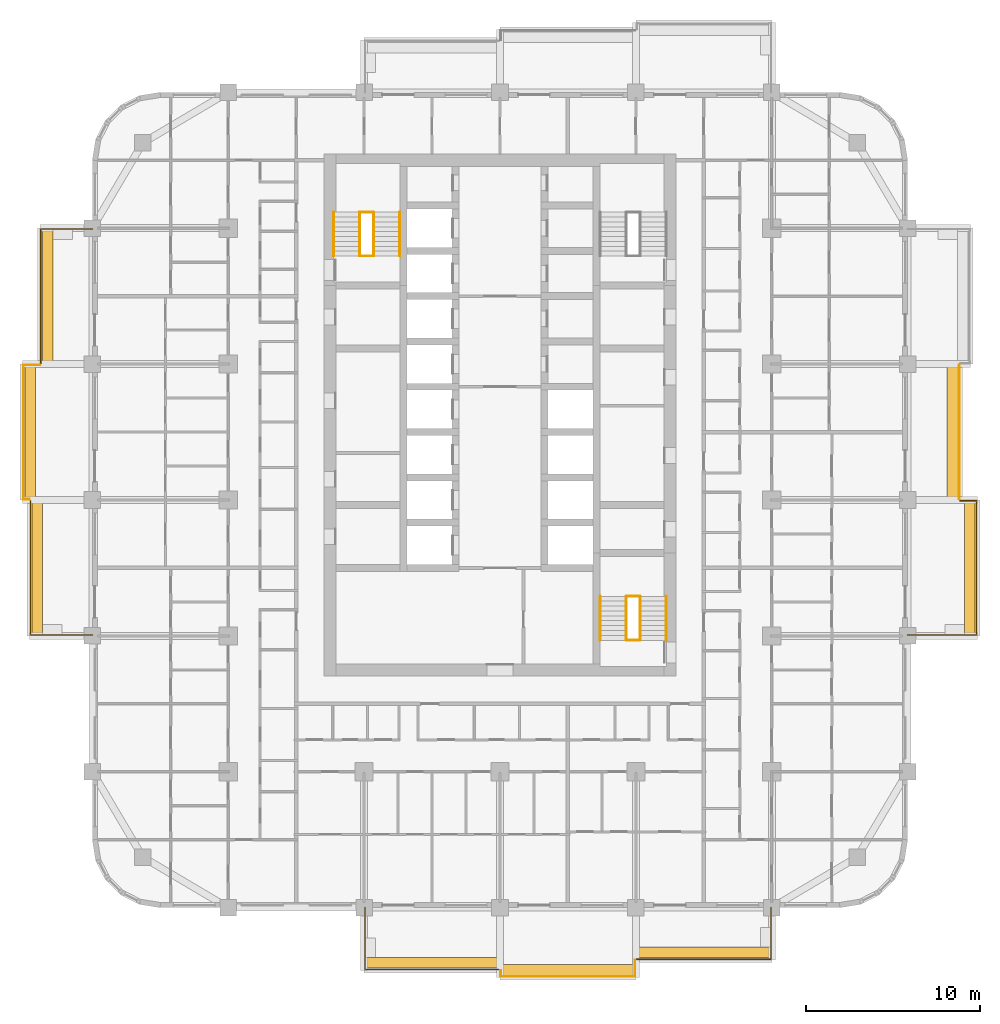
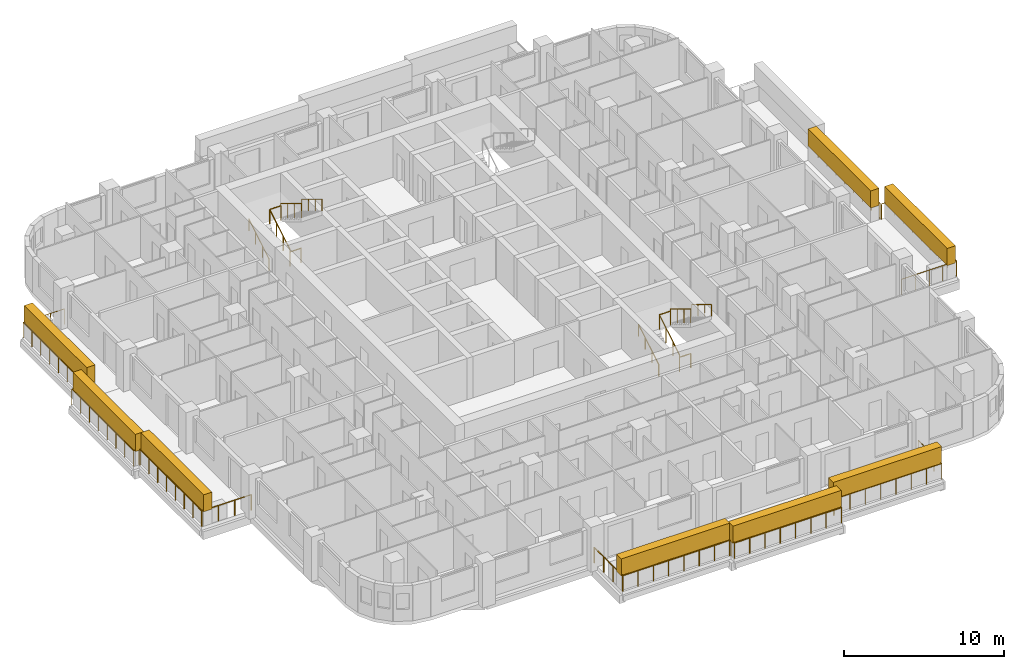
# One storey, part 16 of 17: 20 railings, 8 coverings, 2 elements without a shape of their own.
"""IFC4 building model written with IfcOpenShell, lengths in metres."""

from ifc_helpers import new_model, si_unit, direction, frame, origin, origin_2d, place, context, subcontext, project, spatial, rectangle, circle, extrude, material, layer, layer_set, type_object, element, aggregate, save


model = new_model("IFC4")

# Units and contexts
model_context = context("Model", 3, precision=1e-05, world=origin(), true_north=direction((0.0, 1.0)))
body_context = subcontext(model_context, "Body", "Model", "MODEL_VIEW")
ifc_project = project(units=[si_unit("LENGTHUNIT", "METRE"), si_unit("AREAUNIT", "SQUARE_METRE"), si_unit("VOLUMEUNIT", "CUBIC_METRE"), si_unit("PLANEANGLEUNIT", "RADIAN"), si_unit("MASSUNIT", "GRAM", prefix="KILO")], contexts=[model_context])

# Site, building, storey
site_placement = place(None, origin())
site = spatial("IfcSite", under=ifc_project, at=site_placement, CompositionType="ELEMENT")
building_placement = place(site_placement, origin())
building = spatial("IfcBuilding", under=site, at=building_placement, Name="Ludao Terraces", CompositionType="ELEMENT")
storey_placement = place(building_placement, frame((0.0, 0.0, 85.199951171875)))
storey = spatial("IfcBuildingStorey", under=building, at=storey_placement, Name="L23", CompositionType="ELEMENT", Elevation=85.199951171875)

# Railings
ifc_material_1 = material(Name="Stainless steel 304", Category="steel")
railing_type_1 = type_object("IfcRailingType", Name="ENV Balcony glass guard 1200", PredefinedType="GUARDRAIL", material=ifc_material_1)
railing_1_placement = place(storey_placement, frame((77.25, 41.60009765625, 0.0)))
element("IfcRailing", 1, at=railing_1_placement, inside=storey, type_object=railing_type_1, Name="Balcony guard L23 S2", PredefinedType="GUARDRAIL", context=body_context, shape_type="SweptSolid", body=[
    extrude(circle(Radius=0.02392578125, at=origin_2d()), frame((0.0, 0.0, 1.17578125), z_axis=(0.0, -1.0, 0.0), x_axis=(1.0, 0.0, 0.0)), (0.0, 0.0, 1.0), 3.550048828125),
    extrude(circle(Radius=0.02392578125, at=origin_2d()), frame((0.0, -3.550048828125, 1.17578125), z_axis=(1.0, 0.0, 0.0), x_axis=(0.0, 1.0, 0.0)), (0.0, 0.0, 1.0), 7.699951171875),
    extrude(circle(Radius=0.02099609375, at=origin_2d()), origin(), (0.0, 0.0, 1.0), 1.15185546875),
    extrude(circle(Radius=0.02099609375, at=origin_2d()), frame((0.0, -1.183349609375, 0.0)), (0.0, 0.0, 1.0), 1.15185546875),
    extrude(circle(Radius=0.02099609375, at=origin_2d()), frame((0.0, -2.36669921875, 0.0)), (0.0, 0.0, 1.0), 1.15185546875),
    extrude(circle(Radius=0.02099609375, at=origin_2d()), frame((0.0, -3.550048828125, 0.0)), (0.0, 0.0, 1.0), 1.15185546875),
    extrude(circle(Radius=0.02099609375, at=origin_2d()), frame((1.10009765625, -3.550048828125, 0.0)), (0.0, 0.0, 1.0), 1.15185546875),
    extrude(circle(Radius=0.02099609375, at=origin_2d()), frame((2.199951171875, -3.550048828125, 0.0)), (0.0, 0.0, 1.0), 1.15185546875),
    extrude(circle(Radius=0.02099609375, at=origin_2d()), frame((3.300048828125, -3.550048828125, 0.0)), (0.0, 0.0, 1.0), 1.15185546875),
    extrude(circle(Radius=0.02099609375, at=origin_2d()), frame((4.39990234375, -3.550048828125, 0.0)), (0.0, 0.0, 1.0), 1.15185546875),
    extrude(circle(Radius=0.02099609375, at=origin_2d()), frame((5.5, -3.550048828125, 0.0)), (0.0, 0.0, 1.0), 1.15185546875),
    extrude(circle(Radius=0.02099609375, at=origin_2d()), frame((6.599853515625, -3.550048828125, 0.0)), (0.0, 0.0, 1.0), 1.15185546875),
    extrude(circle(Radius=0.02099609375, at=origin_2d()), frame((7.699951171875, -3.550048828125, 0.0)), (0.0, 0.0, 1.0), 1.15185546875),
])
railing_2_placement = place(storey_placement, frame((85.050048828125, 38.0, 0.0)))
element("IfcRailing", 2, at=railing_2_placement, inside=storey, type_object=railing_type_1, Name="Balcony guard L23 S3", PredefinedType="GUARDRAIL", context=body_context, shape_type="SweptSolid", body=[
    extrude(circle(Radius=0.02392578125, at=origin_2d()), frame((0.0, 0.0, 1.17578125), z_axis=(0.0, -1.0, 0.0), x_axis=(1.0, 0.0, 0.0)), (0.0, 0.0, 1.0), 0.35009765625),
    extrude(circle(Radius=0.02392578125, at=origin_2d()), frame((0.0, -0.35009765625, 1.17578125), z_axis=(1.0, 0.0, 0.0), x_axis=(0.0, 1.0, 0.0)), (0.0, 0.0, 1.0), 7.699951171875),
    extrude(circle(Radius=0.02392578125, at=origin_2d()), frame((7.699951171875, -0.35009765625, 1.17578125), z_axis=(0.0, 1.0, 0.0), x_axis=(-1.0, 0.0, 0.0)), (0.0, 0.0, 1.0), 0.9501953125),
    extrude(circle(Radius=0.02099609375, at=origin_2d()), origin(), (0.0, 0.0, 1.0), 1.15185546875),
    extrude(circle(Radius=0.02099609375, at=origin_2d()), frame((0.0, -0.35009765625, 0.0)), (0.0, 0.0, 1.0), 1.15185546875),
    extrude(circle(Radius=0.02099609375, at=origin_2d()), frame((1.10009765625, -0.35009765625, 0.0)), (0.0, 0.0, 1.0), 1.15185546875),
    extrude(circle(Radius=0.02099609375, at=origin_2d()), frame((2.199951171875, -0.35009765625, 0.0)), (0.0, 0.0, 1.0), 1.15185546875),
    extrude(circle(Radius=0.02099609375, at=origin_2d()), frame((3.300048828125, -0.35009765625, 0.0)), (0.0, 0.0, 1.0), 1.15185546875),
    extrude(circle(Radius=0.02099609375, at=origin_2d()), frame((4.39990234375, -0.35009765625, 0.0)), (0.0, 0.0, 1.0), 1.15185546875),
    extrude(circle(Radius=0.02099609375, at=origin_2d()), frame((5.5, -0.35009765625, 0.0)), (0.0, 0.0, 1.0), 1.15185546875),
    extrude(circle(Radius=0.02099609375, at=origin_2d()), frame((6.599853515625, -0.35009765625, 0.0)), (0.0, 0.0, 1.0), 1.15185546875),
    extrude(circle(Radius=0.02099609375, at=origin_2d()), frame((7.699951171875, -0.35009765625, 0.0)), (0.0, 0.0, 1.0), 1.15185546875),
    extrude(circle(Radius=0.02099609375, at=origin_2d()), frame((7.699951171875, 0.60009765625, 0.0)), (0.0, 0.0, 1.0), 1.15185546875),
])
railing_3_placement = place(storey_placement, frame((92.85009765625, 38.64990234375, 0.0)))
element("IfcRailing", 3, at=railing_3_placement, inside=storey, type_object=railing_type_1, Name="Balcony guard L23 S4", PredefinedType="GUARDRAIL", context=body_context, shape_type="SweptSolid", body=[
    extrude(circle(Radius=0.02392578125, at=origin_2d()), frame((0.0, 0.0, 1.17578125), z_axis=(1.0, 0.0, 0.0), x_axis=(0.0, 1.0, 0.0)), (0.0, 0.0, 1.0), 7.699951171875),
    extrude(circle(Radius=0.02392578125, at=origin_2d()), frame((7.699951171875, 0.0, 1.17578125), z_axis=(0.0, 1.0, 0.0), x_axis=(-1.0, 0.0, 0.0)), (0.0, 0.0, 1.0), 2.9501953125),
    extrude(circle(Radius=0.02099609375, at=origin_2d()), origin(), (0.0, 0.0, 1.0), 1.15185546875),
    extrude(circle(Radius=0.02099609375, at=origin_2d()), frame((1.10009765625, 0.0, 0.0)), (0.0, 0.0, 1.0), 1.15185546875),
    extrude(circle(Radius=0.02099609375, at=origin_2d()), frame((2.199951171875, 0.0, 0.0)), (0.0, 0.0, 1.0), 1.15185546875),
    extrude(circle(Radius=0.02099609375, at=origin_2d()), frame((3.300048828125, 0.0, 0.0)), (0.0, 0.0, 1.0), 1.15185546875),
    extrude(circle(Radius=0.02099609375, at=origin_2d()), frame((4.39990234375, 0.0, 0.0)), (0.0, 0.0, 1.0), 1.15185546875),
    extrude(circle(Radius=0.02099609375, at=origin_2d()), frame((5.5, 0.0, 0.0)), (0.0, 0.0, 1.0), 1.15185546875),
    extrude(circle(Radius=0.02099609375, at=origin_2d()), frame((6.599853515625, 0.0, 0.0)), (0.0, 0.0, 1.0), 1.15185546875),
    extrude(circle(Radius=0.02099609375, at=origin_2d()), frame((7.699951171875, 0.0, 0.0)), (0.0, 0.0, 1.0), 1.15185546875),
    extrude(circle(Radius=0.02099609375, at=origin_2d()), frame((7.699951171875, 0.9833984375, 0.0)), (0.0, 0.0, 1.0), 1.15185546875),
    extrude(circle(Radius=0.02099609375, at=origin_2d()), frame((7.699951171875, 1.966796875, 0.0)), (0.0, 0.0, 1.0), 1.15185546875),
    extrude(circle(Radius=0.02099609375, at=origin_2d()), frame((7.699951171875, 2.9501953125, 0.0)), (0.0, 0.0, 1.0), 1.15185546875),
])
railing_4_placement = place(storey_placement, frame((108.39990234375, 57.25, 0.0)))
element("IfcRailing", 4, at=railing_4_placement, inside=storey, type_object=railing_type_1, Name="Balcony guard L23 E2", PredefinedType="GUARDRAIL", context=body_context, shape_type="SweptSolid", body=[
    extrude(circle(Radius=0.02392578125, at=origin_2d()), frame((0.0, 0.0, 1.17578125), z_axis=(1.0, 0.0, 0.0), x_axis=(0.0, 1.0, 0.0)), (0.0, 0.0, 1.0), 3.9501953125),
    extrude(circle(Radius=0.02392578125, at=origin_2d()), frame((3.9501953125, 0.0, 1.17578125), z_axis=(0.0, 1.0, 0.0), x_axis=(-1.0, 0.0, 0.0)), (0.0, 0.0, 1.0), 7.699951171875),
    extrude(circle(Radius=0.02392578125, at=origin_2d()), frame((3.9501953125, 7.699951171875, 1.17578125), z_axis=(-1.0, 0.0, 0.0), x_axis=(0.0, -1.0, 0.0)), (0.0, 0.0, 1.0), 0.9501953125),
    extrude(circle(Radius=0.02099609375, at=origin_2d()), origin(), (0.0, 0.0, 1.0), 1.15185546875),
    extrude(circle(Radius=0.02099609375, at=origin_2d()), frame((0.987548828125, 0.0, 0.0)), (0.0, 0.0, 1.0), 1.15185546875),
    extrude(circle(Radius=0.02099609375, at=origin_2d()), frame((1.97509765625, 0.0, 0.0)), (0.0, 0.0, 1.0), 1.15185546875),
    extrude(circle(Radius=0.02099609375, at=origin_2d()), frame((2.962646484375, 0.0, 0.0)), (0.0, 0.0, 1.0), 1.15185546875),
    extrude(circle(Radius=0.02099609375, at=origin_2d()), frame((3.9501953125, 0.0, 0.0)), (0.0, 0.0, 1.0), 1.15185546875),
    extrude(circle(Radius=0.02099609375, at=origin_2d()), frame((3.9501953125, 1.10009765625, 0.0)), (0.0, 0.0, 1.0), 1.15185546875),
    extrude(circle(Radius=0.02099609375, at=origin_2d()), frame((3.9501953125, 2.199951171875, 0.0)), (0.0, 0.0, 1.0), 1.15185546875),
    extrude(circle(Radius=0.02099609375, at=origin_2d()), frame((3.9501953125, 3.300048828125, 0.0)), (0.0, 0.0, 1.0), 1.15185546875),
    extrude(circle(Radius=0.02099609375, at=origin_2d()), frame((3.9501953125, 4.39990234375, 0.0)), (0.0, 0.0, 1.0), 1.15185546875),
    extrude(circle(Radius=0.02099609375, at=origin_2d()), frame((3.9501953125, 5.5, 0.0)), (0.0, 0.0, 1.0), 1.15185546875),
    extrude(circle(Radius=0.02099609375, at=origin_2d()), frame((3.9501953125, 6.599853515625, 0.0)), (0.0, 0.0, 1.0), 1.15185546875),
    extrude(circle(Radius=0.02099609375, at=origin_2d()), frame((3.9501953125, 7.699951171875, 0.0)), (0.0, 0.0, 1.0), 1.15185546875),
    extrude(circle(Radius=0.02099609375, at=origin_2d()), frame((3.0, 7.699951171875, 0.0)), (0.0, 0.0, 1.0), 1.15185546875),
])
railing_5_placement = place(storey_placement, frame((111.35009765625, 65.050048828125, 0.0)))
element("IfcRailing", 5, at=railing_5_placement, inside=storey, type_object=railing_type_1, Name="Balcony guard L23 E3", PredefinedType="GUARDRAIL", context=body_context, shape_type="SweptSolid", body=[
    extrude(circle(Radius=0.02392578125, at=origin_2d()), frame((0.0, 0.0, 1.17578125), z_axis=(0.0, 1.0, 0.0), x_axis=(-1.0, 0.0, 0.0)), (0.0, 0.0, 1.0), 7.699951171875),
    extrude(circle(Radius=0.02099609375, at=origin_2d()), origin(), (0.0, 0.0, 1.0), 1.15185546875),
    extrude(circle(Radius=0.02099609375, at=origin_2d()), frame((0.0, 1.10009765625, 0.0)), (0.0, 0.0, 1.0), 1.15185546875),
    extrude(circle(Radius=0.02099609375, at=origin_2d()), frame((0.0, 2.199951171875, 0.0)), (0.0, 0.0, 1.0), 1.15185546875),
    extrude(circle(Radius=0.02099609375, at=origin_2d()), frame((0.0, 3.300048828125, 0.0)), (0.0, 0.0, 1.0), 1.15185546875),
    extrude(circle(Radius=0.02099609375, at=origin_2d()), frame((0.0, 4.39990234375, 0.0)), (0.0, 0.0, 1.0), 1.15185546875),
    extrude(circle(Radius=0.02099609375, at=origin_2d()), frame((0.0, 5.5, 0.0)), (0.0, 0.0, 1.0), 1.15185546875),
    extrude(circle(Radius=0.02099609375, at=origin_2d()), frame((0.0, 6.599853515625, 0.0)), (0.0, 0.0, 1.0), 1.15185546875),
    extrude(circle(Radius=0.02099609375, at=origin_2d()), frame((0.0, 7.699951171875, 0.0)), (0.0, 0.0, 1.0), 1.15185546875),
])
railing_6_placement = place(storey_placement, frame((61.60009765625, 57.25, 0.0)))
element("IfcRailing", 6, at=railing_6_placement, inside=storey, type_object=railing_type_1, Name="Balcony guard L23 W2", PredefinedType="GUARDRAIL", context=body_context, shape_type="SweptSolid", body=[
    extrude(circle(Radius=0.02392578125, at=origin_2d()), frame((0.0, 0.0, 1.17578125), z_axis=(-1.0, 0.0, 0.0), x_axis=(0.0, -1.0, 0.0)), (0.0, 0.0, 1.0), 3.550048828125),
    extrude(circle(Radius=0.02392578125, at=origin_2d()), frame((-3.550048828125, 0.0, 1.17578125), z_axis=(0.0, 1.0, 0.0), x_axis=(-1.0, 0.0, 0.0)), (0.0, 0.0, 1.0), 7.699951171875),
    extrude(circle(Radius=0.02099609375, at=origin_2d()), origin(), (0.0, 0.0, 1.0), 1.15185546875),
    extrude(circle(Radius=0.02099609375, at=origin_2d()), frame((-1.183349609375, 0.0, 0.0)), (0.0, 0.0, 1.0), 1.15185546875),
    extrude(circle(Radius=0.02099609375, at=origin_2d()), frame((-2.36669921875, 0.0, 0.0)), (0.0, 0.0, 1.0), 1.15185546875),
    extrude(circle(Radius=0.02099609375, at=origin_2d()), frame((-3.550048828125, 0.0, 0.0)), (0.0, 0.0, 1.0), 1.15185546875),
    extrude(circle(Radius=0.02099609375, at=origin_2d()), frame((-3.550048828125, 1.10009765625, 0.0)), (0.0, 0.0, 1.0), 1.15185546875),
    extrude(circle(Radius=0.02099609375, at=origin_2d()), frame((-3.550048828125, 2.199951171875, 0.0)), (0.0, 0.0, 1.0), 1.15185546875),
    extrude(circle(Radius=0.02099609375, at=origin_2d()), frame((-3.550048828125, 3.300048828125, 0.0)), (0.0, 0.0, 1.0), 1.15185546875),
    extrude(circle(Radius=0.02099609375, at=origin_2d()), frame((-3.550048828125, 4.39990234375, 0.0)), (0.0, 0.0, 1.0), 1.15185546875),
    extrude(circle(Radius=0.02099609375, at=origin_2d()), frame((-3.550048828125, 5.5, 0.0)), (0.0, 0.0, 1.0), 1.15185546875),
    extrude(circle(Radius=0.02099609375, at=origin_2d()), frame((-3.550048828125, 6.599853515625, 0.0)), (0.0, 0.0, 1.0), 1.15185546875),
    extrude(circle(Radius=0.02099609375, at=origin_2d()), frame((-3.550048828125, 7.699951171875, 0.0)), (0.0, 0.0, 1.0), 1.15185546875),
])
railing_7_placement = place(storey_placement, frame((58.0, 65.050048828125, 0.0)))
element("IfcRailing", 7, at=railing_7_placement, inside=storey, type_object=railing_type_1, Name="Balcony guard L23 W3", PredefinedType="GUARDRAIL", context=body_context, shape_type="SweptSolid", body=[
    extrude(circle(Radius=0.02392578125, at=origin_2d()), frame((0.0, 0.0, 1.17578125), z_axis=(-1.0, 0.0, 0.0), x_axis=(0.0, -1.0, 0.0)), (0.0, 0.0, 1.0), 0.35009765625),
    extrude(circle(Radius=0.02392578125, at=origin_2d()), frame((-0.35009765625, 0.0, 1.17578125), z_axis=(0.0, 1.0, 0.0), x_axis=(-1.0, 0.0, 0.0)), (0.0, 0.0, 1.0), 7.699951171875),
    extrude(circle(Radius=0.02392578125, at=origin_2d()), frame((-0.35009765625, 7.699951171875, 1.17578125), z_axis=(1.0, 0.0, 0.0), x_axis=(0.0, 1.0, 0.0)), (0.0, 0.0, 1.0), 0.9501953125),
    extrude(circle(Radius=0.02099609375, at=origin_2d()), origin(), (0.0, 0.0, 1.0), 1.15185546875),
    extrude(circle(Radius=0.02099609375, at=origin_2d()), frame((-0.35009765625, 0.0, 0.0)), (0.0, 0.0, 1.0), 1.15185546875),
    extrude(circle(Radius=0.02099609375, at=origin_2d()), frame((-0.35009765625, 1.10009765625, 0.0)), (0.0, 0.0, 1.0), 1.15185546875),
    extrude(circle(Radius=0.02099609375, at=origin_2d()), frame((-0.35009765625, 2.199951171875, 0.0)), (0.0, 0.0, 1.0), 1.15185546875),
    extrude(circle(Radius=0.02099609375, at=origin_2d()), frame((-0.35009765625, 3.300048828125, 0.0)), (0.0, 0.0, 1.0), 1.15185546875),
    extrude(circle(Radius=0.02099609375, at=origin_2d()), frame((-0.35009765625, 4.39990234375, 0.0)), (0.0, 0.0, 1.0), 1.15185546875),
    extrude(circle(Radius=0.02099609375, at=origin_2d()), frame((-0.35009765625, 5.5, 0.0)), (0.0, 0.0, 1.0), 1.15185546875),
    extrude(circle(Radius=0.02099609375, at=origin_2d()), frame((-0.35009765625, 6.599853515625, 0.0)), (0.0, 0.0, 1.0), 1.15185546875),
    extrude(circle(Radius=0.02099609375, at=origin_2d()), frame((-0.35009765625, 7.699951171875, 0.0)), (0.0, 0.0, 1.0), 1.15185546875),
    extrude(circle(Radius=0.02099609375, at=origin_2d()), frame((0.60009765625, 7.699951171875, 0.0)), (0.0, 0.0, 1.0), 1.15185546875),
])
railing_8_placement = place(storey_placement, frame((58.64990234375, 72.85009765625, 0.0)))
element("IfcRailing", 8, at=railing_8_placement, inside=storey, type_object=railing_type_1, Name="Balcony guard L23 W4", PredefinedType="GUARDRAIL", context=body_context, shape_type="SweptSolid", body=[
    extrude(circle(Radius=0.02392578125, at=origin_2d()), frame((0.0, 0.0, 1.17578125), z_axis=(0.0, 1.0, 0.0), x_axis=(-1.0, 0.0, 0.0)), (0.0, 0.0, 1.0), 7.699951171875),
    extrude(circle(Radius=0.02392578125, at=origin_2d()), frame((0.0, 7.699951171875, 1.17578125), z_axis=(1.0, 0.0, 0.0), x_axis=(0.0, 1.0, 0.0)), (0.0, 0.0, 1.0), 2.9501953125),
    extrude(circle(Radius=0.02099609375, at=origin_2d()), origin(), (0.0, 0.0, 1.0), 1.15185546875),
    extrude(circle(Radius=0.02099609375, at=origin_2d()), frame((0.0, 1.10009765625, 0.0)), (0.0, 0.0, 1.0), 1.15185546875),
    extrude(circle(Radius=0.02099609375, at=origin_2d()), frame((0.0, 2.199951171875, 0.0)), (0.0, 0.0, 1.0), 1.15185546875),
    extrude(circle(Radius=0.02099609375, at=origin_2d()), frame((0.0, 3.300048828125, 0.0)), (0.0, 0.0, 1.0), 1.15185546875),
    extrude(circle(Radius=0.02099609375, at=origin_2d()), frame((0.0, 4.39990234375, 0.0)), (0.0, 0.0, 1.0), 1.15185546875),
    extrude(circle(Radius=0.02099609375, at=origin_2d()), frame((0.0, 5.5, 0.0)), (0.0, 0.0, 1.0), 1.15185546875),
    extrude(circle(Radius=0.02099609375, at=origin_2d()), frame((0.0, 6.599853515625, 0.0)), (0.0, 0.0, 1.0), 1.15185546875),
    extrude(circle(Radius=0.02099609375, at=origin_2d()), frame((0.0, 7.699951171875, 0.0)), (0.0, 0.0, 1.0), 1.15185546875),
    extrude(circle(Radius=0.02099609375, at=origin_2d()), frame((0.9833984375, 7.699951171875, 0.0)), (0.0, 0.0, 1.0), 1.15185546875),
    extrude(circle(Radius=0.02099609375, at=origin_2d()), frame((1.966796875, 7.699951171875, 0.0)), (0.0, 0.0, 1.0), 1.15185546875),
    extrude(circle(Radius=0.02099609375, at=origin_2d()), frame((2.9501953125, 7.699951171875, 0.0)), (0.0, 0.0, 1.0), 1.15185546875),
])

# Coverings
ifc_material_2 = material(Name="Planting")
ifc_layer = layer(ifc_material_2, 0.60009765625)
ifc_layer_set = layer_set([ifc_layer], Name="ENV Planting hedge 600x1300")
covering_type = type_object("IfcCoveringType", Name="ENV Planting hedge 600x1300", PredefinedType="USERDEFINED", material=ifc_layer_set)
for number, where, z_axis, x_axis, name in (
    (9, (81.10009765625, 38.449951171875, 1.10009765625), (0.0, 0.0, 1.0), (1.0, 0.0, 0.0), "Planting hedge L23-S2"),
    (10, (88.89990234375, 38.050048828125, 1.10009765625), (0.0, 0.0, 1.0), (1.0, 0.0, 0.0), "Planting hedge L23-S3"),
    (11, (96.699951171875, 39.050048828125, 1.10009765625), (0.0, 0.0, 1.0), (1.0, 0.0, 0.0), "Planting hedge L23-S4"),
):
    element("IfcCovering", number, at=place(storey_placement, frame(where, z_axis=z_axis, x_axis=x_axis)), inside=storey, type_object=covering_type, Name=name, ObjectType="PLANTING", PredefinedType="USERDEFINED", context=body_context, shape_type="SweptSolid", body=[
        extrude(rectangle(XDim=7.800048828125, YDim=0.60009765625, at=origin_2d()), origin(), (0.0, 0.0, 1.0), 1.300048828125),
    ])
for number, where, z_axis, x_axis, name in (
    (12, (111.949951171875, 61.10009765625, 1.10009765625), (0.0, 0.0, 1.0), (1.0, 0.0, 0.0), "Planting hedge L23-E2"),
    (13, (110.949951171875, 68.89990234375, 1.10009765625), (0.0, 0.0, 1.0), (1.0, 0.0, 0.0), "Planting hedge L23-E3"),
    (14, (58.449951171875, 61.10009765625, 1.10009765625), (0.0, 0.0, 1.0), (1.0, 0.0, 0.0), "Planting hedge L23-W2"),
    (15, (58.050048828125, 68.89990234375, 1.10009765625), (0.0, 0.0, 1.0), (1.0, 0.0, 0.0), "Planting hedge L23-W3"),
    (16, (59.050048828125, 76.699951171875, 1.10009765625), (0.0, 0.0, 1.0), (1.0, 0.0, 0.0), "Planting hedge L23-W4"),
):
    element("IfcCovering", number, at=place(storey_placement, frame(where, z_axis=z_axis, x_axis=x_axis)), inside=storey, type_object=covering_type, Name=name, ObjectType="PLANTING", PredefinedType="USERDEFINED", context=body_context, shape_type="SweptSolid", body=[
        extrude(rectangle(XDim=0.60009765625, YDim=7.800048828125, at=origin_2d()), origin(), (0.0, 0.0, 1.0), 1.300048828125),
    ])

# Stair, railings
ifc_material_3 = material(Name="Concrete C40", Category="concrete")
stair_type = type_object("IfcStairType", Name="INT Stair", PredefinedType="HALF_TURN_STAIR", material=ifc_material_3)
stair_1_placement = place(storey_placement, origin())
stair_1 = element("IfcStair", 17, at=stair_1_placement, inside=storey, type_object=stair_type, Name="EXIT STAIR 1", PredefinedType="HALF_TURN_STAIR")
railing_type_2 = type_object("IfcRailingType", Name="INT Stair guard 1100", PredefinedType="GUARDRAIL", material=ifc_material_1)
railing_9_placement = place(storey_placement, frame((76.949951171875, 79.0, 0.170166015625)))
railing_9 = element("IfcRailing", 18, at=railing_9_placement, type_object=railing_type_2, Name="ST-L23-S1-R1G", PredefinedType="GUARDRAIL", context=body_context, shape_type="SweptSolid", body=[
    extrude(circle(Radius=0.02392578125, at=origin_2d()), frame((0.0, 0.0, 1.076171875), z_axis=(0.0, 0.854821627497, 0.518921945155), x_axis=(-1.0, 0.0, 0.0)), (0.0, 0.0, 1.0), 2.947998046875),
    extrude(circle(Radius=0.02099609375, at=origin_2d()), origin(), (0.0, 0.0, 1.0), 1.052001953125),
    extrude(circle(Radius=0.02099609375, at=origin_2d()), frame((0.0, 0.840087890625, 0.510009765625)), (0.0, 0.0, 1.0), 1.052001953125),
    extrude(circle(Radius=0.02099609375, at=origin_2d()), frame((0.0, 1.679931640625, 1.019775390625)), (0.0, 0.0, 1.0), 1.052001953125),
    extrude(circle(Radius=0.02099609375, at=origin_2d()), frame((0.0, 2.52001953125, 1.52978515625)), (0.0, 0.0, 1.0), 1.052001953125),
])
railing_10_placement = place(storey_placement, frame((77.75, 81.52001953125, 1.8701171875)))
railing_10 = element("IfcRailing", 19, at=railing_10_placement, type_object=railing_type_2, Name="ST-L23-S1-R2G", PredefinedType="GUARDRAIL", context=body_context, shape_type="SweptSolid", body=[
    extrude(circle(Radius=0.02392578125, at=origin_2d()), frame((0.0, 0.0, 1.076171875), z_axis=(0.0, -0.85478489116, 0.518982456201), x_axis=(1.0, 0.0, 0.0)), (0.0, 0.0, 1.0), 2.9482421875),
    extrude(circle(Radius=0.02099609375, at=origin_2d()), origin(), (0.0, 0.0, 1.0), 1.052001953125),
    extrude(circle(Radius=0.02099609375, at=origin_2d()), frame((0.0, -0.840087890625, 0.510009765625)), (0.0, 0.0, 1.0), 1.052001953125),
    extrude(circle(Radius=0.02099609375, at=origin_2d()), frame((0.0, -1.679931640625, 1.02001953125)), (0.0, 0.0, 1.0), 1.052001953125),
    extrude(circle(Radius=0.02099609375, at=origin_2d()), frame((0.0, -2.52001953125, 1.530029296875)), (0.0, 0.0, 1.0), 1.052001953125),
])
railing_11_placement = place(storey_placement, frame((76.949951171875, 81.52001953125, 1.699951171875)))
railing_11 = element("IfcRailing", 20, at=railing_11_placement, type_object=railing_type_2, Name="ST-L23-S1-E1G", PredefinedType="GUARDRAIL", context=body_context, shape_type="SweptSolid", body=[
    extrude(circle(Radius=0.02392578125, at=origin_2d()), frame((0.0, 0.0, 1.076171875), z_axis=(1.0, 0.0, 0.0), x_axis=(0.0, 1.0, 0.0)), (0.0, 0.0, 1.0), 0.800048828125),
    extrude(circle(Radius=0.02099609375, at=origin_2d()), origin(), (0.0, 0.0, 1.0), 1.052001953125),
    extrude(circle(Radius=0.02099609375, at=origin_2d()), frame((0.800048828125, 0.0, 0.0)), (0.0, 0.0, 1.0), 1.052001953125),
])
railing_12_placement = place(storey_placement, frame((76.949951171875, 79.0, 0.0)))
railing_12 = element("IfcRailing", 21, at=railing_12_placement, type_object=railing_type_2, Name="ST-L23-S1-E2G", PredefinedType="GUARDRAIL", context=body_context, shape_type="SweptSolid", body=[
    extrude(circle(Radius=0.02392578125, at=origin_2d()), frame((0.0, 0.0, 1.076171875), z_axis=(1.0, 0.0, 0.0), x_axis=(0.0, 1.0, 0.0)), (0.0, 0.0, 1.0), 0.800048828125),
    extrude(circle(Radius=0.02099609375, at=origin_2d()), origin(), (0.0, 0.0, 1.0), 1.052001953125),
    extrude(circle(Radius=0.02099609375, at=origin_2d()), frame((0.800048828125, 0.0, 0.0)), (0.0, 0.0, 1.0), 1.052001953125),
])

stair_2_placement = place(storey_placement, origin())
stair_2 = element("IfcStair", 22, at=stair_2_placement, inside=storey, type_object=stair_type, Name="EXIT STAIR 3", PredefinedType="HALF_TURN_STAIR")
railing_13_placement = place(storey_placement, frame((92.25, 56.949951171875, 0.170166015625)))
railing_13 = element("IfcRailing", 23, at=railing_13_placement, type_object=railing_type_2, Name="ST-L23-S3-R1G", PredefinedType="GUARDRAIL", context=body_context, shape_type="SweptSolid", body=[
    extrude(circle(Radius=0.02392578125, at=origin_2d()), frame((0.0, 0.0, 1.076171875), z_axis=(0.0, 0.854821627497, 0.518921945155), x_axis=(-1.0, 0.0, 0.0)), (0.0, 0.0, 1.0), 2.947998046875),
    extrude(circle(Radius=0.02099609375, at=origin_2d()), origin(), (0.0, 0.0, 1.0), 1.052001953125),
    extrude(circle(Radius=0.02099609375, at=origin_2d()), frame((0.0, 0.840087890625, 0.510009765625)), (0.0, 0.0, 1.0), 1.052001953125),
    extrude(circle(Radius=0.02099609375, at=origin_2d()), frame((0.0, 1.679931640625, 1.019775390625)), (0.0, 0.0, 1.0), 1.052001953125),
    extrude(circle(Radius=0.02099609375, at=origin_2d()), frame((0.0, 2.52001953125, 1.52978515625)), (0.0, 0.0, 1.0), 1.052001953125),
])
railing_14_placement = place(storey_placement, frame((93.050048828125, 59.469970703125, 1.8701171875)))
railing_14 = element("IfcRailing", 24, at=railing_14_placement, type_object=railing_type_2, Name="ST-L23-S3-R2G", PredefinedType="GUARDRAIL", context=body_context, shape_type="SweptSolid", body=[
    extrude(circle(Radius=0.02392578125, at=origin_2d()), frame((0.0, 0.0, 1.076171875), z_axis=(0.0, -0.85478489116, 0.518982456201), x_axis=(1.0, 0.0, 0.0)), (0.0, 0.0, 1.0), 2.9482421875),
    extrude(circle(Radius=0.02099609375, at=origin_2d()), origin(), (0.0, 0.0, 1.0), 1.052001953125),
    extrude(circle(Radius=0.02099609375, at=origin_2d()), frame((0.0, -0.840087890625, 0.510009765625)), (0.0, 0.0, 1.0), 1.052001953125),
    extrude(circle(Radius=0.02099609375, at=origin_2d()), frame((0.0, -1.679931640625, 1.02001953125)), (0.0, 0.0, 1.0), 1.052001953125),
    extrude(circle(Radius=0.02099609375, at=origin_2d()), frame((0.0, -2.52001953125, 1.530029296875)), (0.0, 0.0, 1.0), 1.052001953125),
])
railing_15_placement = place(storey_placement, frame((92.25, 59.469970703125, 1.699951171875)))
railing_15 = element("IfcRailing", 25, at=railing_15_placement, type_object=railing_type_2, Name="ST-L23-S3-E1G", PredefinedType="GUARDRAIL", context=body_context, shape_type="SweptSolid", body=[
    extrude(circle(Radius=0.02392578125, at=origin_2d()), frame((0.0, 0.0, 1.076171875), z_axis=(1.0, 0.0, 0.0), x_axis=(0.0, 1.0, 0.0)), (0.0, 0.0, 1.0), 0.800048828125),
    extrude(circle(Radius=0.02099609375, at=origin_2d()), origin(), (0.0, 0.0, 1.0), 1.052001953125),
    extrude(circle(Radius=0.02099609375, at=origin_2d()), frame((0.800048828125, 0.0, 0.0)), (0.0, 0.0, 1.0), 1.052001953125),
])
railing_16_placement = place(storey_placement, frame((92.25, 56.949951171875, 0.0)))
railing_16 = element("IfcRailing", 26, at=railing_16_placement, type_object=railing_type_2, Name="ST-L23-S3-E2G", PredefinedType="GUARDRAIL", context=body_context, shape_type="SweptSolid", body=[
    extrude(circle(Radius=0.02392578125, at=origin_2d()), frame((0.0, 0.0, 1.076171875), z_axis=(1.0, 0.0, 0.0), x_axis=(0.0, 1.0, 0.0)), (0.0, 0.0, 1.0), 0.800048828125),
    extrude(circle(Radius=0.02099609375, at=origin_2d()), origin(), (0.0, 0.0, 1.0), 1.052001953125),
    extrude(circle(Radius=0.02099609375, at=origin_2d()), frame((0.800048828125, 0.0, 0.0)), (0.0, 0.0, 1.0), 1.052001953125),
])

# Railing
railing_type_3 = type_object("IfcRailingType", Name="INT Stair handrail 900", PredefinedType="HANDRAIL", material=ifc_material_1)
railing_17_placement = place(storey_placement, frame((75.449951171875, 79.0, 0.170166015625)))
railing_17 = element("IfcRailing", 27, at=railing_17_placement, type_object=railing_type_3, Name="ST-L23-S1-R1H", PredefinedType="HANDRAIL", context=body_context, shape_type="SweptSolid", body=[
    extrude(circle(Radius=0.02392578125, at=origin_2d()), frame((0.0, 0.0, 0.8759765625), z_axis=(0.0, 0.854821627497, 0.518921945155), x_axis=(-1.0, 0.0, 0.0)), (0.0, 0.0, 1.0), 2.947998046875),
    extrude(circle(Radius=0.02099609375, at=origin_2d()), origin(), (0.0, 0.0, 1.0), 0.851806640625),
    extrude(circle(Radius=0.02099609375, at=origin_2d()), frame((0.0, 0.840087890625, 0.510009765625)), (0.0, 0.0, 1.0), 0.851806640625),
    extrude(circle(Radius=0.02099609375, at=origin_2d()), frame((0.0, 1.679931640625, 1.019775390625)), (0.0, 0.0, 1.0), 0.851806640625),
    extrude(circle(Radius=0.02099609375, at=origin_2d()), frame((0.0, 2.52001953125, 1.52978515625)), (0.0, 0.0, 1.0), 0.851806640625),
])

railing_18_placement = place(storey_placement, frame((79.25, 81.52001953125, 1.8701171875)))
railing_18 = element("IfcRailing", 28, at=railing_18_placement, type_object=railing_type_3, Name="ST-L23-S1-R2H", PredefinedType="HANDRAIL", context=body_context, shape_type="SweptSolid", body=[
    extrude(circle(Radius=0.02392578125, at=origin_2d()), frame((0.0, 0.0, 0.8759765625), z_axis=(0.0, -0.85478489116, 0.518982456201), x_axis=(1.0, 0.0, 0.0)), (0.0, 0.0, 1.0), 2.9482421875),
    extrude(circle(Radius=0.02099609375, at=origin_2d()), origin(), (0.0, 0.0, 1.0), 0.851806640625),
    extrude(circle(Radius=0.02099609375, at=origin_2d()), frame((0.0, -0.840087890625, 0.510009765625)), (0.0, 0.0, 1.0), 0.851806640625),
    extrude(circle(Radius=0.02099609375, at=origin_2d()), frame((0.0, -1.679931640625, 1.02001953125)), (0.0, 0.0, 1.0), 0.851806640625),
    extrude(circle(Radius=0.02099609375, at=origin_2d()), frame((0.0, -2.52001953125, 1.530029296875)), (0.0, 0.0, 1.0), 0.851806640625),
])

aggregate(stair_1, [railing_9, railing_17, railing_10, railing_18, railing_11, railing_12])

railing_19_placement = place(storey_placement, frame((90.75, 56.949951171875, 0.170166015625)))
railing_19 = element("IfcRailing", 29, at=railing_19_placement, type_object=railing_type_3, Name="ST-L23-S3-R1H", PredefinedType="HANDRAIL", context=body_context, shape_type="SweptSolid", body=[
    extrude(circle(Radius=0.02392578125, at=origin_2d()), frame((0.0, 0.0, 0.8759765625), z_axis=(0.0, 0.854821627497, 0.518921945155), x_axis=(-1.0, 0.0, 0.0)), (0.0, 0.0, 1.0), 2.947998046875),
    extrude(circle(Radius=0.02099609375, at=origin_2d()), origin(), (0.0, 0.0, 1.0), 0.851806640625),
    extrude(circle(Radius=0.02099609375, at=origin_2d()), frame((0.0, 0.840087890625, 0.510009765625)), (0.0, 0.0, 1.0), 0.851806640625),
    extrude(circle(Radius=0.02099609375, at=origin_2d()), frame((0.0, 1.679931640625, 1.019775390625)), (0.0, 0.0, 1.0), 0.851806640625),
    extrude(circle(Radius=0.02099609375, at=origin_2d()), frame((0.0, 2.52001953125, 1.52978515625)), (0.0, 0.0, 1.0), 0.851806640625),
])

railing_20_placement = place(storey_placement, frame((94.550048828125, 59.469970703125, 1.8701171875)))
railing_20 = element("IfcRailing", 30, at=railing_20_placement, type_object=railing_type_3, Name="ST-L23-S3-R2H", PredefinedType="HANDRAIL", context=body_context, shape_type="SweptSolid", body=[
    extrude(circle(Radius=0.02392578125, at=origin_2d()), frame((0.0, 0.0, 0.8759765625), z_axis=(0.0, -0.85478489116, 0.518982456201), x_axis=(1.0, 0.0, 0.0)), (0.0, 0.0, 1.0), 2.9482421875),
    extrude(circle(Radius=0.02099609375, at=origin_2d()), origin(), (0.0, 0.0, 1.0), 0.851806640625),
    extrude(circle(Radius=0.02099609375, at=origin_2d()), frame((0.0, -0.840087890625, 0.510009765625)), (0.0, 0.0, 1.0), 0.851806640625),
    extrude(circle(Radius=0.02099609375, at=origin_2d()), frame((0.0, -1.679931640625, 1.02001953125)), (0.0, 0.0, 1.0), 0.851806640625),
    extrude(circle(Radius=0.02099609375, at=origin_2d()), frame((0.0, -2.52001953125, 1.530029296875)), (0.0, 0.0, 1.0), 0.851806640625),
])

aggregate(stair_2, [railing_13, railing_19, railing_14, railing_20, railing_15, railing_16])

save(model, "model.ifc")
